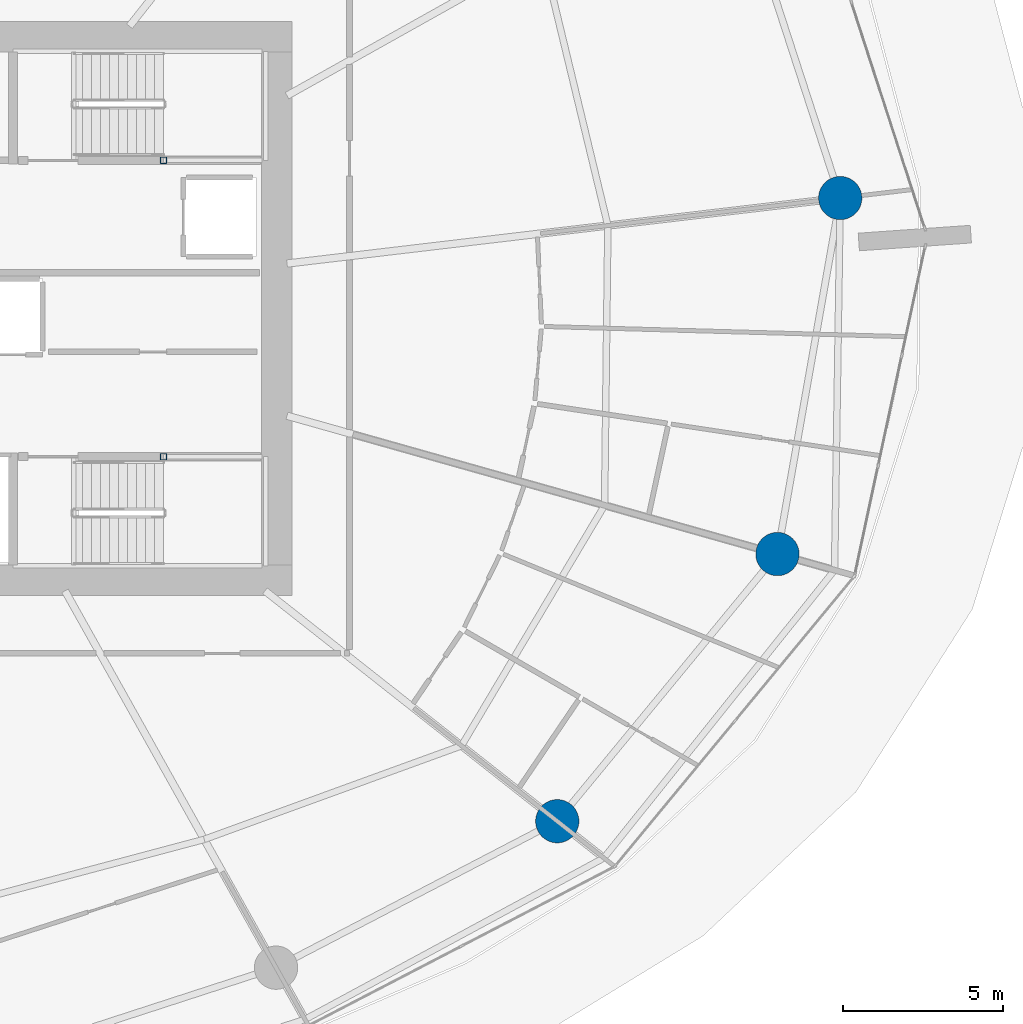
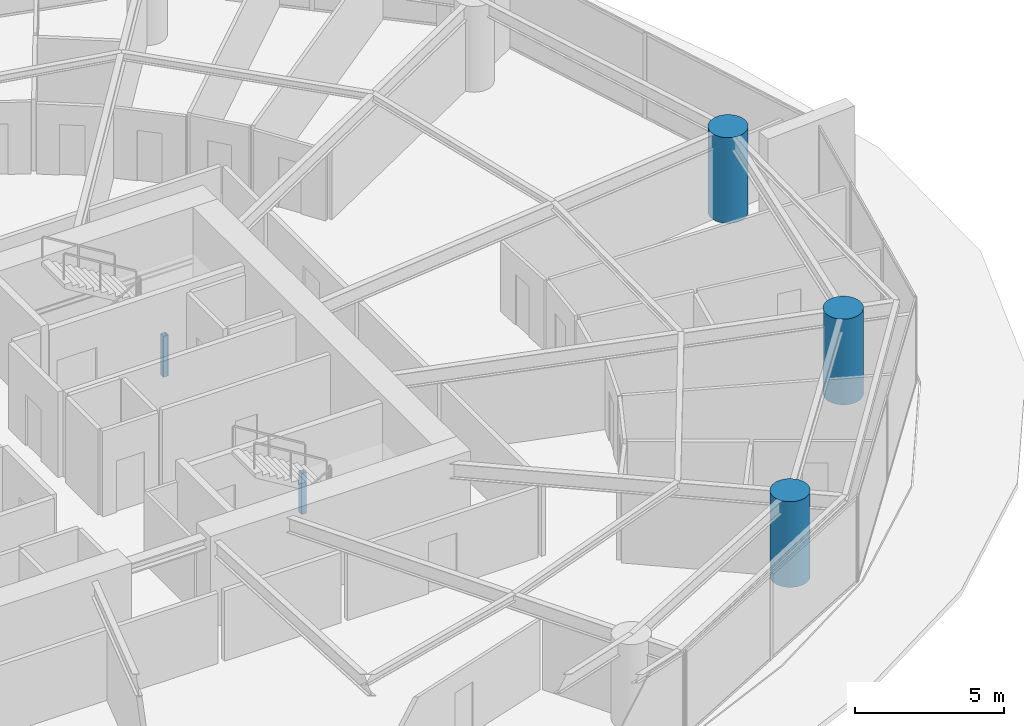
# One storey, part 3 of 22: 5 columns.
"""IFC4 building model written with IfcOpenShell, lengths in metres."""

from ifc_helpers import new_model, si_unit, direction, frame, origin, origin_2d, place, context, subcontext, project, spatial, hollow_rectangle, circle, extrude, material, material_profile, profile_set, type_object, element, save


model = new_model("IFC4")

# Units and contexts
model_context = context("Model", 3, precision=1e-05, world=origin(), true_north=direction((0.0, 1.0)))
body_context = subcontext(model_context, "Body", "Model", "MODEL_VIEW")
ifc_project = project(units=[si_unit("LENGTHUNIT", "METRE"), si_unit("AREAUNIT", "SQUARE_METRE"), si_unit("VOLUMEUNIT", "CUBIC_METRE"), si_unit("PLANEANGLEUNIT", "RADIAN"), si_unit("MASSUNIT", "GRAM", prefix="KILO")], contexts=[model_context])

# Site, building, storey
site_placement = place(None, origin())
site = spatial("IfcSite", under=ifc_project, at=site_placement, CompositionType="ELEMENT")
building_placement = place(site_placement, origin())
building = spatial("IfcBuilding", under=site, at=building_placement, Name="Kazma Halo Residences", CompositionType="ELEMENT")
storey_placement = place(building_placement, frame((0.0, 0.0, 26.39990234375)))
storey = spatial("IfcBuildingStorey", under=building, at=storey_placement, Name="L05", CompositionType="ELEMENT", Elevation=26.39990234375)

# Columns
ifc_material_1 = material(Name="Steel S355", Category="steel")
ifc_material_profile_1 = material_profile(ifc_material_1, hollow_rectangle(XDim=0.199951171875, YDim=0.199951171875, WallThickness=0.010009765625, InnerFilletRadius=0.010009765625, OuterFilletRadius=0.02001953125, at=origin_2d()), Name="SHS200x200x10")
ifc_profile_set_1 = profile_set([ifc_material_profile_1], Name="Steel S355")
column_type_1 = type_object("IfcColumnType", Name="COL-LP-SHS200", PredefinedType="COLUMN", material=ifc_profile_set_1)
for number, where, z_axis, x_axis, name in (
    (1, (56.0, 46.6201171875, 0.0), (0.0, 0.0, 1.0), (1.0, 0.0, 0.0), "L05 ST-02 landing pilaster 1"),
    (2, (56.0, 37.3798828125, 0.0), (0.0, 0.0, 1.0), (1.0, 0.0, 0.0), "L05 ST-03 landing pilaster 1"),
):
    element("IfcColumn", number, at=place(storey_placement, frame(where, z_axis=z_axis, x_axis=x_axis)), inside=storey, type_object=column_type_1, Name=name, PredefinedType="COLUMN", context=body_context, shape_type="SweptSolid", body=[
        extrude(hollow_rectangle(XDim=0.199951171875, YDim=0.199951171875, WallThickness=0.010009765625, InnerFilletRadius=0.010009765625, OuterFilletRadius=0.02001953125, at=origin_2d()), origin(), (0.0, 0.0, 1.0), 1.670166015625),
    ])
ifc_material_2 = material(Name="Concrete C80/95", Category="concrete")
ifc_material_profile_2 = material_profile(ifc_material_2, circle(Radius=0.675048828125, at=origin_2d()), Name="CIRC1350")
ifc_profile_set_2 = profile_set([ifc_material_profile_2], Name="Concrete C80/95")
column_type_2 = type_object("IfcColumnType", Name="COL-PERIM-1350", PredefinedType="COLUMN", material=ifc_profile_set_2)
for number, where, z_axis, x_axis, name in (
    (3, (68.27587890625, 26.015869140625, 0.0), (0.0, 0.0, 1.0), (1.0, 0.0, 0.0), "L05 perimeter ring column P14"),
    (4, (75.140869140625, 34.345458984375, 0.0), (0.0, 0.0, 1.0), (1.0, 0.0, 0.0), "L05 perimeter ring column P15"),
    (5, (77.097900390625, 45.444091796875, 0.0), (0.0, 0.0, 1.0), (1.0, 0.0, 0.0), "L05 perimeter ring column P16"),
):
    element("IfcColumn", number, at=place(storey_placement, frame(where, z_axis=z_axis, x_axis=x_axis)), inside=storey, type_object=column_type_2, Name=name, PredefinedType="COLUMN", context=body_context, shape_type="SweptSolid", body=[
        extrude(circle(Radius=0.675048828125, at=origin_2d()), origin(), (0.0, 0.0, 1.0), 3.5),
    ])

save(model, "model.ifc")
